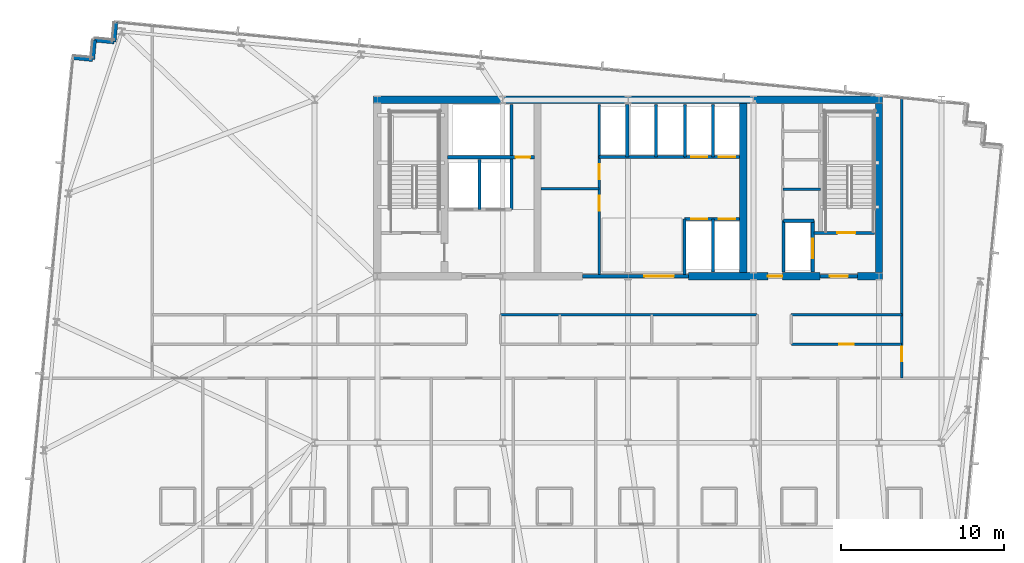
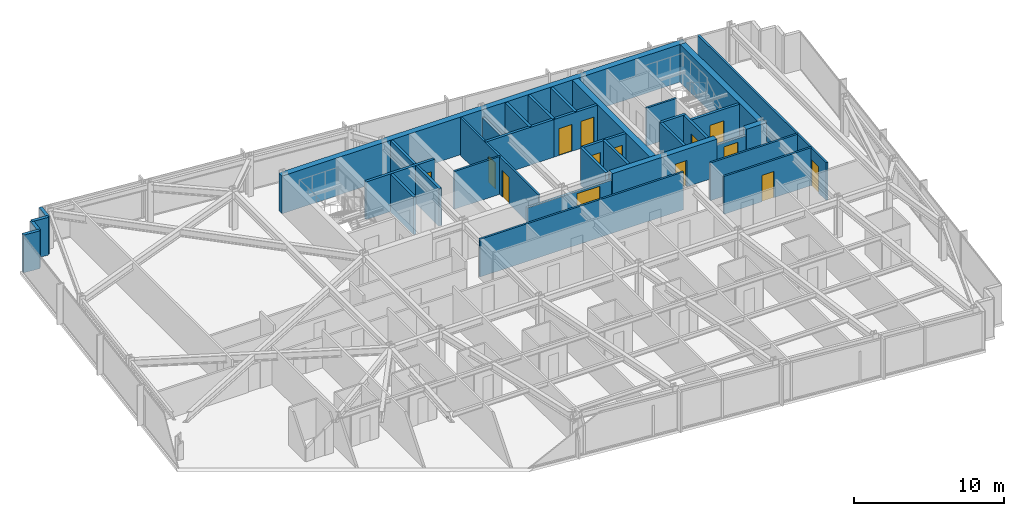
# One storey, part 31 of 38: 34 walls, 14 doors, 14 openings.
"""IFC4 building model written with IfcOpenShell, lengths in metres."""

import ifcopenshell
import ifcopenshell.guid

model = None  # the IFC model being written
_history = None  # IfcOwnerHistory: only IFC2X3 demands one
_inside = {}  # id of a spatial element -> (the spatial element, [elements in it])
_under = {}  # id of a project, library or spatial element -> (it, [spatial elements below it])
_declared = {}  # id of a project -> (the project, [libraries it declares])
_typed = {}  # id of a type object -> (the type object, [elements of that type])
_made_of = {}  # id of a material, layer set ... -> (it, [elements and type objects made of it])


def new_model(schema):
    """Start an empty IFC model of exactly this schema.

    Asked for "IFC4X3", IfcOpenShell would pick the latest addendum, in which some entities
    have other attributes; the version numbers below select the first issue.
    IFC2X3 requires an IfcOwnerHistory on every rooted entity: one is made here for all.
    """
    global model, _history
    if schema == "IFC4X3":
        model = ifcopenshell.file(schema_version=(4, 3, 0, 0))
    else:
        model = ifcopenshell.file(schema=schema)
    _inside.clear()
    _under.clear()
    _declared.clear()
    _typed.clear()
    _made_of.clear()
    _history = None
    if model.schema == "IFC2X3":
        org = make("IfcOrganization", Name="unknown")
        user = make(
            "IfcPersonAndOrganization",
            ThePerson=make("IfcPerson", FamilyName="unknown"),
            TheOrganization=org,
        )
        app = make(
            "IfcApplication",
            ApplicationDeveloper=org,
            Version="unknown",
            ApplicationFullName="unknown",
            ApplicationIdentifier="unknown",
        )
        _history = make(
            "IfcOwnerHistory",
            OwningUser=user,
            OwningApplication=app,
            ChangeAction="ADDED",
            CreationDate=0,
        )
    return model


def make(cls, **values):
    """One entity of the class cls with the attributes given. An attribute that is None is left unset."""
    return model.create_entity(
        cls, **{name: value for name, value in values.items() if value is not None}
    )


def rooted(cls, **values):
    """An entity with a GlobalId (a new one), such as an element, a storey or a relation."""
    return make(cls, GlobalId=ifcopenshell.guid.new(), OwnerHistory=_history, **values)


def si_unit(unit_type, name, prefix=None):
    """IfcSIUnit, for example si_unit("LENGTHUNIT", "METRE", prefix="MILLI")."""
    return make("IfcSIUnit", UnitType=unit_type, Prefix=prefix, Name=name)


def assignment(units):
    """IfcUnitAssignment: the units of a project."""
    return None if units is None else make("IfcUnitAssignment", Units=units)


def point(xyz):
    """IfcCartesianPoint."""
    return None if xyz is None else make("IfcCartesianPoint", Coordinates=xyz)


def direction(xyz):
    """IfcDirection."""
    return None if xyz is None else make("IfcDirection", DirectionRatios=xyz)


def frame(location, z_axis=None, x_axis=None):
    """IfcAxis2Placement3D, a coordinate frame: its origin and axes. An axis left out is left unset."""
    return make(
        "IfcAxis2Placement3D",
        Location=point(location),
        Axis=direction(z_axis),
        RefDirection=direction(x_axis),
    )


def frame_2d(location, x_axis=None):
    """IfcAxis2Placement2D, a coordinate frame in the plane: its origin and x axis."""
    return make(
        "IfcAxis2Placement2D", Location=point(location), RefDirection=direction(x_axis)
    )


def origin():
    """The frame at (0, 0, 0) with its axes left unset."""
    return frame((0.0, 0.0, 0.0))


def place(relative_to, where):
    """IfcLocalPlacement: puts the frame where relative to a parent placement (None: the world)."""
    return make(
        "IfcLocalPlacement", PlacementRelTo=relative_to, RelativePlacement=where
    )


def context(
    kind, dimensions, precision=None, world=None, true_north=None, identifier=None
):
    """IfcGeometricRepresentationContext, for example the 3D "Model" context."""
    return make(
        "IfcGeometricRepresentationContext",
        ContextIdentifier=identifier,
        ContextType=kind,
        CoordinateSpaceDimension=dimensions,
        Precision=precision,
        WorldCoordinateSystem=world,
        TrueNorth=true_north,
    )


def subcontext(parent, identifier, kind, view, scale=None):
    """IfcGeometricRepresentationSubContext, for example "Body" below "Model"."""
    return make(
        "IfcGeometricRepresentationSubContext",
        ContextIdentifier=identifier,
        ContextType=kind,
        ParentContext=parent,
        TargetScale=scale,
        TargetView=view,
    )


def project(units=None, contexts=None):
    """IfcProject with its units and contexts."""
    return rooted(
        "IfcProject",
        Name="project",
        RepresentationContexts=contexts,
        UnitsInContext=assignment(units),
    )


def spatial(cls, under=None, at=None, **own):
    """A site, building, storey or space (cls), placed at a placement, below another one or the project."""
    s = rooted(cls, ObjectPlacement=at, **own)
    if under is not None:
        _under.setdefault(under.id(), (under, []))[1].append(s)
    return s


def profile(cls, at=None, kind="AREA", **sizes):
    """A parametric profile (cls). Its sizes go by their IFC names, for example OverallWidth=200.0."""
    return make(cls, ProfileType=kind, Position=at, **sizes)


def rectangle(**sizes):
    """IfcRectangleProfileDef."""
    return profile("IfcRectangleProfileDef", **sizes)


def extrude(swept, where, along, depth):
    """IfcExtrudedAreaSolid: the profile swept, set in the frame where, extruded along a direction by depth."""
    return make(
        "IfcExtrudedAreaSolid",
        SweptArea=swept,
        Position=where,
        ExtrudedDirection=direction(along),
        Depth=depth,
    )


def shape(context_of_items, identifier, shape_type, items):
    """IfcShapeRepresentation: the items that make up one representation, for example the "Body"."""
    return make(
        "IfcShapeRepresentation",
        ContextOfItems=context_of_items,
        RepresentationIdentifier=identifier,
        RepresentationType=shape_type,
        Items=items,
    )


def material(Name=None, Category=None):
    """IfcMaterial."""
    return make("IfcMaterial", Name=Name, Category=Category)


def layer(
    of_material, thickness, ventilated=None, Name=None, Category=None, Priority=None
):
    """IfcMaterialLayer: one layer of a wall or slab, of a material (None: an air gap)."""
    return make(
        "IfcMaterialLayer",
        Material=of_material,
        LayerThickness=thickness,
        IsVentilated=ventilated,
        Name=Name,
        Category=Category,
        Priority=Priority,
    )


def layer_set(layers, Name=None):
    """IfcMaterialLayerSet."""
    return make("IfcMaterialLayerSet", MaterialLayers=layers, LayerSetName=Name)


def made_of(thing, what):
    """Note that an element or type object is made of a material, layer set ...; save() writes the relation."""
    if what is not None:
        _made_of.setdefault(what.id(), (what, []))[1].append(thing)
    return thing


def type_object(cls, material=None, **own):
    """A type object (cls), such as IfcWallType, which elements share."""
    return made_of(rooted(cls, **own), material)


def element(
    cls,
    number,
    at=None,
    inside=None,
    cuts=None,
    type_object=None,
    material=None,
    context=None,
    identifier="Body",
    shape_type=None,
    held_by="IfcProductDefinitionShape",
    body=None,
    shapes=None,
    **own,
):
    """One element of the class cls, such as IfcWall. Its Tag is "e" and its number.

    at: its placement. inside: the storey or other place that contains it. cuts: it is an
    opening in that element (IfcRelVoidsElement). A single representation is given by context,
    identifier, shape_type and body (its items); several are given by shapes. held_by: the class
    of the entity that holds the representations. save() writes the other relations.
    """
    e = rooted(cls, Tag="e%d" % number, ObjectPlacement=at, **own)
    if body is not None:
        shapes = [shape(context, identifier, shape_type, body)]
    if shapes is not None:
        e.Representation = make(held_by, Representations=shapes)
    if inside is not None:
        _inside.setdefault(inside.id(), (inside, []))[1].append(e)
    if cuts is not None:
        rooted(
            "IfcRelVoidsElement", RelatingBuildingElement=cuts, RelatedOpeningElement=e
        )
    if type_object is not None:
        _typed.setdefault(type_object.id(), (type_object, []))[1].append(e)
    return made_of(e, material)


def fill(opening, filler):
    """IfcRelFillsElement: the door or window that sits in an opening."""
    return rooted(
        "IfcRelFillsElement",
        RelatingOpeningElement=opening,
        RelatedBuildingElement=filler,
    )


def aggregate(whole, parts):
    """IfcRelAggregates: a whole, such as a stair, and the parts it consists of."""
    return rooted("IfcRelAggregates", RelatingObject=whole, RelatedObjects=parts)


def save(model, path):
    """Write the relations noted so far, then the file.

    IfcRelAggregates (storeys below a building ...), IfcRelContainedInSpatialStructure (elements
    in a storey), IfcRelDefinesByType, IfcRelAssociatesMaterial and IfcRelDeclares: one each for
    every whole, place, type object, material and project.
    """
    for whole, parts in _under.values():
        aggregate(whole, parts)
    for where, things in _inside.values():
        rooted(
            "IfcRelContainedInSpatialStructure",
            RelatedElements=things,
            RelatingStructure=where,
        )
    for kind, things in _typed.values():
        rooted("IfcRelDefinesByType", RelatedObjects=things, RelatingType=kind)
    for what, things in _made_of.values():
        rooted("IfcRelAssociatesMaterial", RelatedObjects=things, RelatingMaterial=what)
    for by, libraries in _declared.values():
        rooted("IfcRelDeclares", RelatingContext=by, RelatedDefinitions=libraries)
    model.write(path)


model = new_model("IFC4")

# Units and contexts
model_context = context("Model", 3, precision=1e-05, world=origin(), true_north=direction((0.0, 1.0)))
body_context = subcontext(model_context, "Body", "Model", "MODEL_VIEW")
ifc_project = project(units=[si_unit("LENGTHUNIT", "METRE"), si_unit("AREAUNIT", "SQUARE_METRE"), si_unit("VOLUMEUNIT", "CUBIC_METRE"), si_unit("PLANEANGLEUNIT", "RADIAN"), si_unit("MASSUNIT", "GRAM", prefix="KILO")], contexts=[model_context])

# Site, building, storey
site_placement = place(None, origin())
site = spatial("IfcSite", under=ifc_project, at=site_placement, CompositionType="ELEMENT")
building_placement = place(site_placement, origin())
building = spatial("IfcBuilding", under=site, at=building_placement, Name="Yelkora Congress Tower", CompositionType="ELEMENT")
storey_placement = place(building_placement, frame((0.0, 0.0, 178.699951171875)))
storey = spatial("IfcBuildingStorey", under=building, at=storey_placement, Name="L49", CompositionType="ELEMENT", Elevation=178.699951171875)

# Wall
ifc_material_1 = material(Name="Concrete C60/75", Category="concrete")
ifc_layer_1 = layer(ifc_material_1, 0.449951171875)
ifc_layer_set_1 = layer_set([ifc_layer_1], Name="Concrete C60/75")
wall_type_1 = type_object("IfcWallType", Name="WALL-CORE-INT-450", PredefinedType="SHEAR", material=ifc_layer_set_1)
wall_1_placement = place(storey_placement, frame((22.81494140625, 46.199951171875, 0.0), z_axis=(0.0, 0.0, 1.0), x_axis=(1.0, 0.0, 0.0)))
element("IfcWall", 1, at=wall_1_placement, inside=storey, type_object=wall_type_1, Name="L49 Rear Core North Shear Wall", PredefinedType="SHEAR", context=body_context, shape_type="SweptSolid", body=[
    extrude(rectangle(XDim=31.170166015625, YDim=0.449951171875, at=frame_2d((15.5849609375, 0.0))), origin(), (0.0, 0.0, 1.0), 3.080078125),
])

# Wall, opening, door
wall_2_placement = place(storey_placement, frame((42.10009765625, 35.39990234375, 0.0), z_axis=(0.0, 0.0, 1.0), x_axis=(1.0, 0.0, 0.0)))
wall_2 = element("IfcWall", 2, at=wall_2_placement, inside=storey, type_object=wall_type_1, Name="L49 Rear Core South-East Shear Wall A", PredefinedType="SHEAR", context=body_context, shape_type="SweptSolid", body=[
    extrude(rectangle(XDim=8.0498046875, YDim=0.449951171875, at=frame_2d((4.02490234375, 0.0))), origin(), (0.0, 0.0, 1.0), 3.080078125),
])
opening_1_placement = place(wall_2_placement, frame((4.85009765625, 0.0, 0.0)))
opening_1 = element("IfcOpeningElement", 3, at=opening_1_placement, cuts=wall_2, Name="Opening DR-090F6", PredefinedType="OPENING", context=body_context, shape_type="SweptSolid", body=[
    extrude(rectangle(XDim=0.89990234375, YDim=2.14990234375, at=frame_2d((0.449951171875, 1.074951171875))), frame((0.0, 0.23486328125, 0.0), z_axis=(0.0, -1.0, 0.0), x_axis=(1.0, 0.0, 0.0)), (0.0, 0.0, 1.0), 0.469970703125),
])
ifc_material_2 = material(Name="Painted steel riser fire door leaf", Category="steel")
door_type_1 = type_object("IfcDoorType", Name="DOOR-FD60-900", OperationType="NOTDEFINED", PredefinedType="DOOR", material=ifc_material_2)
door_1_placement = place(opening_1_placement, origin())
door_1 = element("IfcDoor", 4, at=door_1_placement, inside=storey, type_object=door_type_1, Name="L49 Core Washroom Lobby Door", OperationType="SINGLE_SWING_RIGHT", OverallHeight=2.14990234375, OverallWidth=0.89990234375, PredefinedType="DOOR", context=body_context, shape_type="SweptSolid", body=[
    extrude(rectangle(XDim=0.89990234375, YDim=2.14990234375, at=frame_2d((0.449951171875, 1.074951171875))), frame((0.0, 0.02490234375, 0.0), z_axis=(0.0, -1.0, 0.0), x_axis=(1.0, 0.0, 0.0)), (0.0, 0.0, 1.0), 0.050048828125),
])
fill(opening_1, door_1)

# Walls
wall_3_placement = place(storey_placement, frame((52.449951171875, 35.39990234375, 0.0), z_axis=(0.0, 0.0, 1.0), x_axis=(1.0, 0.0, 0.0)))
element("IfcWall", 5, at=wall_3_placement, inside=storey, type_object=wall_type_1, Name="L49 Rear Core South-East Shear Wall B", PredefinedType="SHEAR", context=body_context, shape_type="SweptSolid", body=[
    extrude(rectangle(XDim=1.53515625, YDim=0.449951171875, at=frame_2d((0.767578125, 0.0))), origin(), (0.0, 0.0, 1.0), 3.080078125),
])
for number, where, z_axis, x_axis, name in (
    (6, (45.449951171875, 35.625, 0.0), (0.0, 0.0, 1.0), (0.0, 1.0, 0.0), "L49 Rear Core Cross Shear Wall C3"),
    (7, (53.760009765625, 35.625, 0.0), (0.0, 0.0, 1.0), (0.0, 1.0, 0.0), "L49 Rear Core Cross Shear Wall E"),
):
    element("IfcWall", number, at=place(storey_placement, frame(where, z_axis=z_axis, x_axis=x_axis)), inside=storey, type_object=wall_type_1, Name=name, PredefinedType="SHEAR", context=body_context, shape_type="SweptSolid", body=[
        extrude(rectangle(XDim=10.35009765625, YDim=0.449951171875, at=frame_2d((5.175048828125, 0.0))), origin(), (0.0, 0.0, 1.0), 3.080078125),
    ])
ifc_material_3 = material(Name="Concrete C40/50", Category="concrete")
ifc_layer_2 = layer(ifc_material_3, 0.239990234375)
ifc_layer_set_2 = layer_set([ifc_layer_2], Name="Concrete C40/50")
wall_type_2 = type_object("IfcWallType", Name="WALL-EXT-LIMESTONE-240", PredefinedType="SOLIDWALL", material=ifc_layer_set_2)
wall_4_placement = place(storey_placement, frame((4.41064453125, 48.778564453125, 0.0), z_axis=(0.0, 0.0, 1.0), x_axis=(0.995397091755, -0.095836473879, 0.0)))
element("IfcWall", 8, at=wall_4_placement, inside=storey, type_object=wall_type_2, Name="L49 Serrated Corner Limestone Pier 6", PredefinedType="SOLIDWALL", context=body_context, shape_type="SweptSolid", body=[
    extrude(rectangle(XDim=1.199951171875, YDim=0.239990234375, at=frame_2d((0.60009765625, 0.0))), origin(), (0.0, 0.0, 1.0), 3.080078125),
])
wall_5_placement = place(storey_placement, frame((5.60498046875, 48.66357421875, 0.0), z_axis=(0.0, 0.0, 1.0), x_axis=(0.096018626938, 0.995379537303, 0.0)))
element("IfcWall", 9, at=wall_5_placement, inside=storey, type_object=wall_type_2, Name="L49 Serrated Corner Limestone Pier 7", PredefinedType="SOLIDWALL", context=body_context, shape_type="SweptSolid", body=[
    extrude(rectangle(XDim=1.2001953125, YDim=0.239990234375, at=frame_2d((0.60009765625, 0.0))), origin(), (0.0, 0.0, 1.0), 3.080078125),
])
for number, where, z_axis, x_axis, name in (
    (10, (5.72021484375, 49.858154296875, 0.0), (0.0, 0.0, 1.0), (0.995397091755, -0.095836473879, 0.0), "L49 Serrated Corner Limestone Pier 8"),
    (11, (6.91455078125, 49.7431640625, 0.0), (0.0, 0.0, 1.0), (0.095836473879, 0.995397091755, 0.0), "L49 Serrated Corner Limestone Pier 9"),
):
    element("IfcWall", number, at=place(storey_placement, frame(where, z_axis=z_axis, x_axis=x_axis)), inside=storey, type_object=wall_type_2, Name=name, PredefinedType="SOLIDWALL", context=body_context, shape_type="SweptSolid", body=[
        extrude(rectangle(XDim=1.199951171875, YDim=0.239990234375, at=frame_2d((0.60009765625, 0.0))), origin(), (0.0, 0.0, 1.0), 3.080078125),
    ])
ifc_material_4 = material(Name="Acoustic metal-stud gypsum partition", Category="gypsum")
ifc_layer_3 = layer(ifc_material_4, 0.14990234375)
ifc_layer_set_3 = layer_set([ifc_layer_3], Name="Acoustic metal-stud gypsum partition")
wall_type_3 = type_object("IfcWallType", Name="WALL-INT-150-NR", PredefinedType="PARTITIONING", material=ifc_layer_set_3)
wall_6_placement = place(storey_placement, frame((47.8798828125, 40.719970703125, 0.0), z_axis=(0.0, 0.0, 1.0), x_axis=(1.0, 0.0, 0.0)))
element("IfcWall", 12, at=wall_6_placement, inside=storey, type_object=wall_type_3, Name="L49 Partition Wall 24", PredefinedType="PARTITIONING", context=body_context, shape_type="SweptSolid", body=[
    extrude(rectangle(XDim=2.300048828125, YDim=0.14990234375, at=frame_2d((1.14990234375, 0.0))), origin(), (0.0, 0.0, 1.0), 3.080078125),
])

# Wall, opening, door
wall_7_placement = place(storey_placement, frame((55.1650390625, 29.14990234375, 0.0), z_axis=(0.0, 0.0, 1.0), x_axis=(0.0, 1.0, 0.0)))
wall_7 = element("IfcWall", 13, at=wall_7_placement, inside=storey, type_object=wall_type_3, Name="L49 Partition Wall 79", PredefinedType="PARTITIONING", context=body_context, shape_type="SweptSolid", body=[
    extrude(rectangle(XDim=17.213134765625, YDim=0.14990234375, at=frame_2d((8.6064453125, 0.0))), origin(), (0.0, 0.0, 1.0), 3.080078125),
])
opening_2_placement = place(wall_7_placement, frame((1.030029296875, 0.0, 0.0)))
opening_2 = element("IfcOpeningElement", 14, at=opening_2_placement, cuts=wall_7, Name="Opening DR-090N", PredefinedType="OPENING", context=body_context, shape_type="SweptSolid", body=[
    extrude(rectangle(XDim=0.89990234375, YDim=2.14990234375, at=frame_2d((0.449951171875, 1.074951171875))), frame((0.0, 0.0849609375, 0.0), z_axis=(0.0, -1.0, 0.0), x_axis=(1.0, 0.0, 0.0)), (0.0, 0.0, 1.0), 0.169921875),
])
ifc_material_5 = material(Name="Moisture-resistant laminate door leaf", Category="wood")
door_type_2 = type_object("IfcDoorType", Name="DOOR-INT-900", OperationType="NOTDEFINED", PredefinedType="DOOR", material=ifc_material_5)
door_2_placement = place(opening_2_placement, origin())
door_2 = element("IfcDoor", 15, at=door_2_placement, inside=storey, type_object=door_type_2, Name="L49 E Wing Door", OperationType="SINGLE_SWING_LEFT", OverallHeight=2.14990234375, OverallWidth=0.89990234375, PredefinedType="DOOR", context=body_context, shape_type="SweptSolid", body=[
    extrude(rectangle(XDim=0.89990234375, YDim=2.14990234375, at=frame_2d((0.449951171875, 1.074951171875))), frame((0.0, 0.02490234375, 0.0), z_axis=(0.0, -1.0, 0.0), x_axis=(1.0, 0.0, 0.0)), (0.0, 0.0, 1.0), 0.050048828125),
])
fill(opening_2, door_2)

# Walls
wall_8_placement = place(storey_placement, frame((30.580078125, 33.050048828125, 0.0), z_axis=(0.0, 0.0, 1.0), x_axis=(1.0, 0.0, 0.0)))
element("IfcWall", 16, at=wall_8_placement, inside=storey, type_object=wall_type_3, Name="L49 Partition Wall 85", PredefinedType="PARTITIONING", context=body_context, shape_type="SweptSolid", body=[
    extrude(rectangle(XDim=15.719970703125, YDim=0.14990234375, at=frame_2d((7.85986328125, 0.0))), origin(), (0.0, 0.0, 1.0), 3.080078125),
])
wall_9_placement = place(storey_placement, frame((48.3798828125, 33.050048828125, 0.0), z_axis=(0.0, 0.0, 1.0), x_axis=(1.0, 0.0, 0.0)))
element("IfcWall", 17, at=wall_9_placement, inside=storey, type_object=wall_type_3, Name="L49 Partition Wall 86", PredefinedType="PARTITIONING", context=body_context, shape_type="SweptSolid", body=[
    extrude(rectangle(XDim=6.78515625, YDim=0.14990234375, at=frame_2d((3.392578125, 0.0))), origin(), (0.0, 0.0, 1.0), 3.080078125),
])

# Wall, opening, door
wall_10_placement = place(storey_placement, frame((48.389892578125, 31.22998046875, 0.0), z_axis=(0.0, 0.0, 1.0), x_axis=(1.0, 0.0, 0.0)))
wall_10 = element("IfcWall", 18, at=wall_10_placement, inside=storey, type_object=wall_type_3, Name="L49 Partition Wall 93", PredefinedType="PARTITIONING", context=body_context, shape_type="SweptSolid", body=[
    extrude(rectangle(XDim=6.755126953125, YDim=0.14990234375, at=frame_2d((3.37744140625, 0.0))), origin(), (0.0, 0.0, 1.0), 3.080078125),
])
opening_3_placement = place(wall_10_placement, frame((2.927490234375, 0.0, 0.0)))
opening_3 = element("IfcOpeningElement", 19, at=opening_3_placement, cuts=wall_10, Name="Opening DR-090N", PredefinedType="OPENING", context=body_context, shape_type="SweptSolid", body=[
    extrude(rectangle(XDim=0.89990234375, YDim=2.14990234375, at=frame_2d((0.449951171875, 1.074951171875))), frame((0.0, 0.0849609375, 0.0), z_axis=(0.0, -1.0, 0.0), x_axis=(1.0, 0.0, 0.0)), (0.0, 0.0, 1.0), 0.169921875),
])
door_3_placement = place(opening_3_placement, origin())
door_3 = element("IfcDoor", 20, at=door_3_placement, inside=storey, type_object=door_type_2, Name="L49 Staff Operations Room Door", OperationType="SINGLE_SWING_RIGHT", OverallHeight=2.14990234375, OverallWidth=0.89990234375, PredefinedType="DOOR", context=body_context, shape_type="SweptSolid", body=[
    extrude(rectangle(XDim=0.89990234375, YDim=2.14990234375, at=frame_2d((0.449951171875, 1.074951171875))), frame((0.0, 0.02490234375, 0.0), z_axis=(0.0, -1.0, 0.0), x_axis=(1.0, 0.0, 0.0)), (0.0, 0.0, 1.0), 0.050048828125),
])
fill(opening_3, door_3)

# Wall
ifc_material_6 = material(Name="Twin-stud fire-rated gypsum partition", Category="gypsum")
ifc_layer_4 = layer(ifc_material_6, 0.14990234375)
ifc_layer_set_4 = layer_set([ifc_layer_4], Name="Twin-stud fire-rated gypsum partition")
wall_type_4 = type_object("IfcWallType", Name="WALL-INT-150-R60", PredefinedType="PARTITIONING", material=ifc_layer_set_4)
wall_11_placement = place(storey_placement, frame((33.050048828125, 40.75, 0.0), z_axis=(0.0, 0.0, 1.0), x_axis=(1.0, 0.0, 0.0)))
element("IfcWall", 21, at=wall_11_placement, inside=storey, type_object=wall_type_4, Name="L49 Partition Wall 11", PredefinedType="PARTITIONING", context=body_context, shape_type="SweptSolid", body=[
    extrude(rectangle(XDim=3.570068359375, YDim=0.14990234375, at=frame_2d((1.78515625, 0.0))), origin(), (0.0, 0.0, 1.0), 3.080078125),
])

# Wall, openings, doors
wall_12_placement = place(storey_placement, frame((36.6201171875, 35.5, 0.0), z_axis=(0.0, 0.0, 1.0), x_axis=(0.0, 1.0, 0.0)))
wall_12 = element("IfcWall", 22, at=wall_12_placement, inside=storey, type_object=wall_type_4, Name="L49 Partition Wall 12", PredefinedType="PARTITIONING", context=body_context, shape_type="SweptSolid", body=[
    extrude(rectangle(XDim=10.419921875, YDim=0.14990234375, at=frame_2d((5.2099609375, 0.0))), origin(), (0.0, 0.0, 1.0), 3.080078125),
])
opening_4_placement = place(wall_12_placement, frame((3.919921875, 0.0, 0.0)))
opening_4 = element("IfcOpeningElement", 23, at=opening_4_placement, cuts=wall_12, Name="Opening DR-090F6", PredefinedType="OPENING", context=body_context, shape_type="SweptSolid", body=[
    extrude(rectangle(XDim=0.89990234375, YDim=2.14990234375, at=frame_2d((0.449951171875, 1.074951171875))), frame((0.0, 0.0849609375, 0.0), z_axis=(0.0, -1.0, 0.0), x_axis=(1.0, 0.0, 0.0)), (0.0, 0.0, 1.0), 0.169921875),
])
opening_5_placement = place(wall_12_placement, frame((5.85009765625, 0.0, 0.0)))
opening_5 = element("IfcOpeningElement", 24, at=opening_5_placement, cuts=wall_12, Name="Opening DR-090F6", PredefinedType="OPENING", context=body_context, shape_type="SweptSolid", body=[
    extrude(rectangle(XDim=0.89990234375, YDim=2.14990234375, at=frame_2d((0.449951171875, 1.074951171875))), frame((0.0, 0.0849609375, 0.0), z_axis=(0.0, -1.0, 0.0), x_axis=(1.0, 0.0, 0.0)), (0.0, 0.0, 1.0), 0.169921875),
])
door_4_placement = place(opening_4_placement, origin())
door_4 = element("IfcDoor", 25, at=door_4_placement, inside=storey, type_object=door_type_1, Name="L49 Telecom Store Door", OperationType="SINGLE_SWING_LEFT", OverallHeight=2.14990234375, OverallWidth=0.89990234375, PredefinedType="DOOR", context=body_context, shape_type="SweptSolid", body=[
    extrude(rectangle(XDim=0.89990234375, YDim=2.14990234375, at=frame_2d((0.449951171875, 1.074951171875))), frame((0.0, 0.02490234375, 0.0), z_axis=(0.0, -1.0, 0.0), x_axis=(1.0, 0.0, 0.0)), (0.0, 0.0, 1.0), 0.050048828125),
])
fill(opening_4, door_4)
door_5_placement = place(opening_5_placement, origin())
door_5 = element("IfcDoor", 26, at=door_5_placement, inside=storey, type_object=door_type_1, Name="L49 Archive Store Door", OperationType="SINGLE_SWING_RIGHT", OverallHeight=2.14990234375, OverallWidth=0.89990234375, PredefinedType="DOOR", context=body_context, shape_type="SweptSolid", body=[
    extrude(rectangle(XDim=0.89990234375, YDim=2.14990234375, at=frame_2d((0.449951171875, 1.074951171875))), frame((0.0, 0.02490234375, 0.0), z_axis=(0.0, -1.0, 0.0), x_axis=(1.0, 0.0, 0.0)), (0.0, 0.0, 1.0), 0.050048828125),
])
fill(opening_5, door_5)

# Walls
ifc_material_7 = material(Name="Autoclaved aerated concrete blockwork", Category="masonry")
ifc_layer_5 = layer(ifc_material_7, 0.199951171875)
ifc_layer_set_5 = layer_set([ifc_layer_5], Name="Autoclaved aerated concrete blockwork")
wall_type_5 = type_object("IfcWallType", Name="WALL-INT-200-R120", PredefinedType="PARTITIONING", material=ifc_layer_set_5)
wall_13_placement = place(storey_placement, frame((29.300048828125, 39.47998046875, 0.0), z_axis=(0.0, 0.0, 1.0), x_axis=(0.0, 1.0, 0.0)))
element("IfcWall", 27, at=wall_13_placement, inside=storey, type_object=wall_type_5, Name="L49 Partition Wall 4", PredefinedType="PARTITIONING", context=body_context, shape_type="SweptSolid", body=[
    extrude(rectangle(XDim=3.070068359375, YDim=0.199951171875, at=frame_2d((1.53515625, 0.0))), origin(), (0.0, 0.0, 1.0), 3.080078125),
])
wall_14_placement = place(storey_placement, frame((31.260009765625, 39.47998046875, 0.0), z_axis=(0.0, 0.0, 1.0), x_axis=(0.0, 1.0, 0.0)))
element("IfcWall", 28, at=wall_14_placement, inside=storey, type_object=wall_type_5, Name="L49 Partition Wall 5", PredefinedType="PARTITIONING", context=body_context, shape_type="SweptSolid", body=[
    extrude(rectangle(XDim=6.43994140625, YDim=0.199951171875, at=frame_2d((3.219970703125, 0.0))), origin(), (0.0, 0.0, 1.0), 3.080078125),
])

# Wall, opening, door
wall_15_placement = place(storey_placement, frame((27.320068359375, 42.679931640625, 0.0), z_axis=(0.0, 0.0, 1.0), x_axis=(1.0, 0.0, 0.0)))
wall_15 = element("IfcWall", 29, at=wall_15_placement, inside=storey, type_object=wall_type_5, Name="L49 Smoke Riser South Wall", PredefinedType="PARTITIONING", context=body_context, shape_type="SweptSolid", body=[
    extrude(rectangle(XDim=5.329833984375, YDim=0.199951171875, at=frame_2d((2.6650390625, 0.0))), origin(), (0.0, 0.0, 1.0), 3.080078125),
])
opening_6_placement = place(wall_15_placement, frame((4.179931640625, 0.0, 0.0)))
opening_6 = element("IfcOpeningElement", 30, at=opening_6_placement, cuts=wall_15, Name="Opening DR-090F6", PredefinedType="OPENING", context=body_context, shape_type="SweptSolid", body=[
    extrude(rectangle(XDim=0.89990234375, YDim=2.14990234375, at=frame_2d((0.449951171875, 1.074951171875))), frame((0.0, 0.10986328125, 0.0), z_axis=(0.0, -1.0, 0.0), x_axis=(1.0, 0.0, 0.0)), (0.0, 0.0, 1.0), 0.219970703125),
])
door_6_placement = place(opening_6_placement, origin())
door_6 = element("IfcDoor", 31, at=door_6_placement, inside=storey, type_object=door_type_1, Name="L49 Riser Access Door", OperationType="SINGLE_SWING_LEFT", OverallHeight=2.14990234375, OverallWidth=0.89990234375, PredefinedType="DOOR", context=body_context, shape_type="SweptSolid", body=[
    extrude(rectangle(XDim=0.89990234375, YDim=2.14990234375, at=frame_2d((0.449951171875, 1.074951171875))), frame((0.0, 0.02490234375, 0.0), z_axis=(0.0, -1.0, 0.0), x_axis=(1.0, 0.0, 0.0)), (0.0, 0.0, 1.0), 0.050048828125),
])
fill(opening_6, door_6)

wall_16_placement = place(storey_placement, frame((35.60009765625, 35.39990234375, 0.0), z_axis=(0.0, 0.0, 1.0), x_axis=(1.0, 0.0, 0.0)))
wall_16 = element("IfcWall", 32, at=wall_16_placement, inside=storey, type_object=wall_type_5, Name="L49 Main Lift Lobby South Portal Wall", PredefinedType="PARTITIONING", context=body_context, shape_type="SweptSolid", body=[
    extrude(rectangle(XDim=6.5, YDim=0.199951171875, at=frame_2d((3.25, 0.0))), origin(), (0.0, 0.0, 1.0), 2.47509765625),
])
opening_7_placement = place(wall_16_placement, frame((3.800048828125, 0.0, 0.0)))
opening_7 = element("IfcOpeningElement", 33, at=opening_7_placement, cuts=wall_16, Name="Opening DR-180D", PredefinedType="OPENING", context=body_context, shape_type="SweptSolid", body=[
    extrude(rectangle(XDim=1.800048828125, YDim=2.300048828125, at=frame_2d((0.89990234375, 1.14990234375))), frame((0.0, 0.10986328125, 0.0), z_axis=(0.0, -1.0, 0.0), x_axis=(1.0, 0.0, 0.0)), (0.0, 0.0, 1.0), 0.219970703125),
])
ifc_material_8 = material(Name="Acoustic double congress hall doors", Category="wood")
door_type_3 = type_object("IfcDoorType", Name="DOOR-DBL-1800", OperationType="DOUBLE_DOOR_SINGLE_SWING", PredefinedType="DOOR", material=ifc_material_8)
door_7_placement = place(opening_7_placement, origin())
door_7 = element("IfcDoor", 34, at=door_7_placement, inside=storey, type_object=door_type_3, Name="L49 Main Lift Lobby Portal Door", OperationType="DOUBLE_DOOR_SINGLE_SWING", OverallHeight=2.300048828125, OverallWidth=1.800048828125, PredefinedType="DOOR", context=body_context, shape_type="SweptSolid", body=[
    extrude(rectangle(XDim=1.800048828125, YDim=2.300048828125, at=frame_2d((0.89990234375, 1.14990234375))), frame((0.0, 0.02490234375, 0.0), z_axis=(0.0, -1.0, 0.0), x_axis=(1.0, 0.0, 0.0)), (0.0, 0.0, 1.0), 0.050048828125),
])
fill(opening_7, door_7)

# Walls
wall_17_placement = place(storey_placement, frame((36.60009765625, 42.699951171875, 0.0), z_axis=(0.0, 0.0, 1.0), x_axis=(1.0, 0.0, 0.0)))
element("IfcWall", 35, at=wall_17_placement, inside=storey, type_object=wall_type_5, Name="L49 Partition Wall 8", PredefinedType="PARTITIONING", context=body_context, shape_type="SweptSolid", body=[
    extrude(rectangle(XDim=5.25, YDim=0.199951171875, at=frame_2d((2.625, 0.0))), origin(), (0.0, 0.0, 1.0), 3.080078125),
])
wall_18_placement = place(storey_placement, frame((38.35009765625, 42.699951171875, 0.0), z_axis=(0.0, 0.0, 1.0), x_axis=(0.0, 1.0, 0.0)))
element("IfcWall", 36, at=wall_18_placement, inside=storey, type_object=wall_type_5, Name="L49 Partition Wall 9", PredefinedType="PARTITIONING", context=body_context, shape_type="SweptSolid", body=[
    extrude(rectangle(XDim=3.219970703125, YDim=0.199951171875, at=frame_2d((1.60986328125, 0.0))), origin(), (0.0, 0.0, 1.0), 2.47509765625),
])
wall_19_placement = place(storey_placement, frame((40.10009765625, 42.699951171875, 0.0), z_axis=(0.0, 0.0, 1.0), x_axis=(0.0, 1.0, 0.0)))
element("IfcWall", 37, at=wall_19_placement, inside=storey, type_object=wall_type_5, Name="L49 Partition Wall 10", PredefinedType="PARTITIONING", context=body_context, shape_type="SweptSolid", body=[
    extrude(rectangle(XDim=3.219970703125, YDim=0.199951171875, at=frame_2d((1.60986328125, 0.0))), origin(), (0.0, 0.0, 1.0), 3.080078125),
])

# Wall, openings, doors
wall_20_placement = place(storey_placement, frame((41.85009765625, 38.89990234375, 0.0), z_axis=(0.0, 0.0, 1.0), x_axis=(1.0, 0.0, 0.0)))
wall_20 = element("IfcWall", 38, at=wall_20_placement, inside=storey, type_object=wall_type_5, Name="L49 Partition Wall 13", PredefinedType="PARTITIONING", context=body_context, shape_type="SweptSolid", body=[
    extrude(rectangle(XDim=3.369873046875, YDim=0.199951171875, at=frame_2d((1.68505859375, 0.0))), origin(), (0.0, 0.0, 1.0), 3.080078125),
])
opening_8_placement = place(wall_20_placement, frame((0.39990234375, 0.0, 0.0)))
opening_8 = element("IfcOpeningElement", 39, at=opening_8_placement, cuts=wall_20, Name="Opening LD-PS10", PredefinedType="OPENING", context=body_context, shape_type="SweptSolid", body=[
    extrude(rectangle(XDim=1.0, YDim=2.199951171875, at=frame_2d((0.5, 1.10009765625))), frame((0.0, 0.10986328125, 0.0), z_axis=(0.0, -1.0, 0.0), x_axis=(1.0, 0.0, 0.0)), (0.0, 0.0, 1.0), 0.219970703125),
])
opening_9_placement = place(wall_20_placement, frame((2.10009765625, 0.0, 0.0)))
opening_9 = element("IfcOpeningElement", 40, at=opening_9_placement, cuts=wall_20, Name="Opening LD-PS10", PredefinedType="OPENING", context=body_context, shape_type="SweptSolid", body=[
    extrude(rectangle(XDim=1.0, YDim=2.199951171875, at=frame_2d((0.5, 1.10009765625))), frame((0.0, 0.10986328125, 0.0), z_axis=(0.0, -1.0, 0.0), x_axis=(1.0, 0.0, 0.0)), (0.0, 0.0, 1.0), 0.219970703125),
])
ifc_material_9 = material(Name="Champagne stainless steel landing door", Category="steel")
door_type_4 = type_object("IfcDoorType", Name="DOOR-LIFT-PAS-1000", OperationType="DOUBLE_DOOR_SLIDING", PredefinedType="DOOR", material=ifc_material_9)
door_8_placement = place(opening_8_placement, origin())
door_8 = element("IfcDoor", 41, at=door_8_placement, inside=storey, type_object=door_type_4, Name="Lift Landing Door LF-P5 L49", OperationType="DOUBLE_DOOR_SLIDING", OverallHeight=2.199951171875, OverallWidth=1.0, PredefinedType="DOOR", context=body_context, shape_type="SweptSolid", body=[
    extrude(rectangle(XDim=1.0, YDim=2.199951171875, at=frame_2d((0.5, 1.10009765625))), frame((0.0, 0.02490234375, 0.0), z_axis=(0.0, -1.0, 0.0), x_axis=(1.0, 0.0, 0.0)), (0.0, 0.0, 1.0), 0.050048828125),
])
fill(opening_8, door_8)
door_9_placement = place(opening_9_placement, origin())
door_9 = element("IfcDoor", 42, at=door_9_placement, inside=storey, type_object=door_type_4, Name="Lift Landing Door LF-P6 L49", OperationType="DOUBLE_DOOR_SLIDING", OverallHeight=2.199951171875, OverallWidth=1.0, PredefinedType="DOOR", context=body_context, shape_type="SweptSolid", body=[
    extrude(rectangle(XDim=1.0, YDim=2.199951171875, at=frame_2d((0.5, 1.10009765625))), frame((0.0, 0.02490234375, 0.0), z_axis=(0.0, -1.0, 0.0), x_axis=(1.0, 0.0, 0.0)), (0.0, 0.0, 1.0), 0.050048828125),
])
fill(opening_9, door_9)

wall_21_placement = place(storey_placement, frame((41.85009765625, 42.699951171875, 0.0), z_axis=(0.0, 0.0, 1.0), x_axis=(1.0, 0.0, 0.0)))
wall_21 = element("IfcWall", 43, at=wall_21_placement, inside=storey, type_object=wall_type_5, Name="L49 Partition Wall 14", PredefinedType="PARTITIONING", context=body_context, shape_type="SweptSolid", body=[
    extrude(rectangle(XDim=3.369873046875, YDim=0.199951171875, at=frame_2d((1.68505859375, 0.0))), origin(), (0.0, 0.0, 1.0), 3.080078125),
])
opening_10_placement = place(wall_21_placement, frame((0.39990234375, 0.0, 0.0)))
opening_10 = element("IfcOpeningElement", 44, at=opening_10_placement, cuts=wall_21, Name="Opening LD-PS10", PredefinedType="OPENING", context=body_context, shape_type="SweptSolid", body=[
    extrude(rectangle(XDim=1.0, YDim=2.199951171875, at=frame_2d((0.5, 1.10009765625))), frame((0.0, 0.10986328125, 0.0), z_axis=(0.0, -1.0, 0.0), x_axis=(1.0, 0.0, 0.0)), (0.0, 0.0, 1.0), 0.219970703125),
])
opening_11_placement = place(wall_21_placement, frame((2.10009765625, 0.0, 0.0)))
opening_11 = element("IfcOpeningElement", 45, at=opening_11_placement, cuts=wall_21, Name="Opening LD-PS10", PredefinedType="OPENING", context=body_context, shape_type="SweptSolid", body=[
    extrude(rectangle(XDim=1.0, YDim=2.199951171875, at=frame_2d((0.5, 1.10009765625))), frame((0.0, 0.10986328125, 0.0), z_axis=(0.0, -1.0, 0.0), x_axis=(1.0, 0.0, 0.0)), (0.0, 0.0, 1.0), 0.219970703125),
])
door_10_placement = place(opening_10_placement, origin())
door_10 = element("IfcDoor", 46, at=door_10_placement, inside=storey, type_object=door_type_4, Name="Lift Landing Door LF-P7 L49", OperationType="DOUBLE_DOOR_SLIDING", OverallHeight=2.199951171875, OverallWidth=1.0, PredefinedType="DOOR", context=body_context, shape_type="SweptSolid", body=[
    extrude(rectangle(XDim=1.0, YDim=2.199951171875, at=frame_2d((0.5, 1.10009765625))), frame((0.0, 0.02490234375, 0.0), z_axis=(0.0, -1.0, 0.0), x_axis=(1.0, 0.0, 0.0)), (0.0, 0.0, 1.0), 0.050048828125),
])
fill(opening_10, door_10)
door_11_placement = place(opening_11_placement, origin())
door_11 = element("IfcDoor", 47, at=door_11_placement, inside=storey, type_object=door_type_4, Name="Lift Landing Door LF-P8 L49", OperationType="DOUBLE_DOOR_SLIDING", OverallHeight=2.199951171875, OverallWidth=1.0, PredefinedType="DOOR", context=body_context, shape_type="SweptSolid", body=[
    extrude(rectangle(XDim=1.0, YDim=2.199951171875, at=frame_2d((0.5, 1.10009765625))), frame((0.0, 0.02490234375, 0.0), z_axis=(0.0, -1.0, 0.0), x_axis=(1.0, 0.0, 0.0)), (0.0, 0.0, 1.0), 0.050048828125),
])
fill(opening_11, door_11)

# Walls
wall_22_placement = place(storey_placement, frame((43.60009765625, 35.64990234375, 0.0), z_axis=(0.0, 0.0, 1.0), x_axis=(0.0, 1.0, 0.0)))
element("IfcWall", 48, at=wall_22_placement, inside=storey, type_object=wall_type_5, Name="L49 Partition Wall 15", PredefinedType="PARTITIONING", context=body_context, shape_type="SweptSolid", body=[
    extrude(rectangle(XDim=3.25, YDim=0.199951171875, at=frame_2d((1.625, 0.0))), origin(), (0.0, 0.0, 1.0), 3.080078125),
])
wall_23_placement = place(storey_placement, frame((43.60009765625, 42.699951171875, 0.0), z_axis=(0.0, 0.0, 1.0), x_axis=(0.0, 1.0, 0.0)))
element("IfcWall", 49, at=wall_23_placement, inside=storey, type_object=wall_type_5, Name="L49 Partition Wall 16", PredefinedType="PARTITIONING", context=body_context, shape_type="SweptSolid", body=[
    extrude(rectangle(XDim=3.219970703125, YDim=0.199951171875, at=frame_2d((1.60986328125, 0.0))), origin(), (0.0, 0.0, 1.0), 3.080078125),
])
wall_24_placement = place(storey_placement, frame((41.85009765625, 35.5, 0.0), z_axis=(0.0, 0.0, 1.0), x_axis=(0.0, 1.0, 0.0)))
element("IfcWall", 50, at=wall_24_placement, inside=storey, type_object=wall_type_5, Name="L49 Partition Wall 17", PredefinedType="PARTITIONING", context=body_context, shape_type="SweptSolid", body=[
    extrude(rectangle(XDim=3.39990234375, YDim=0.199951171875, at=frame_2d((1.699951171875, 0.0))), origin(), (0.0, 0.0, 1.0), 3.080078125),
])
wall_25_placement = place(storey_placement, frame((41.8798828125, 42.699951171875, 0.0), z_axis=(0.0, 0.0, 1.0), x_axis=(0.0, 1.0, 0.0)))
element("IfcWall", 51, at=wall_25_placement, inside=storey, type_object=wall_type_5, Name="L49 Partition Wall 18", PredefinedType="PARTITIONING", context=body_context, shape_type="SweptSolid", body=[
    extrude(rectangle(XDim=3.219970703125, YDim=0.199951171875, at=frame_2d((1.60986328125, 0.0))), origin(), (0.0, 0.0, 1.0), 3.080078125),
])

# Wall, opening, door
wall_26_placement = place(storey_placement, frame((49.780029296875, 38.050048828125, 0.0), z_axis=(0.0, 0.0, 1.0), x_axis=(1.0, 0.0, 0.0)))
wall_26 = element("IfcWall", 52, at=wall_26_placement, inside=storey, type_object=wall_type_5, Name="L49 Stair ST-02 Enclosure Wall", PredefinedType="PARTITIONING", context=body_context, shape_type="SweptSolid", body=[
    extrude(rectangle(XDim=3.719970703125, YDim=0.199951171875, at=frame_2d((1.85986328125, 0.0))), origin(), (0.0, 0.0, 1.0), 3.080078125),
])
opening_12_placement = place(wall_26_placement, frame((1.436279296875, 0.0, 0.0)))
opening_12 = element("IfcOpeningElement", 53, at=opening_12_placement, cuts=wall_26, Name="Opening DR-110F9", PredefinedType="OPENING", context=body_context, shape_type="SweptSolid", body=[
    extrude(rectangle(XDim=1.10009765625, YDim=2.14990234375, at=frame_2d((0.550048828125, 1.074951171875))), frame((0.0, 0.10986328125, 0.0), z_axis=(0.0, -1.0, 0.0), x_axis=(1.0, 0.0, 0.0)), (0.0, 0.0, 1.0), 0.219970703125),
])
ifc_material_10 = material(Name="Galvanised steel fire door leaf", Category="steel")
door_type_5 = type_object("IfcDoorType", Name="DOOR-FD90-1100", OperationType="NOTDEFINED", PredefinedType="DOOR", material=ifc_material_10)
door_12_placement = place(opening_12_placement, origin())
door_12 = element("IfcDoor", 54, at=door_12_placement, inside=storey, type_object=door_type_5, Name="L49 Stair ST-02 Entry Door", OperationType="SINGLE_SWING_LEFT", OverallHeight=2.14990234375, OverallWidth=1.10009765625, PredefinedType="DOOR", context=body_context, shape_type="SweptSolid", body=[
    extrude(rectangle(XDim=1.10009765625, YDim=2.14990234375, at=frame_2d((0.550048828125, 1.074951171875))), frame((0.0, 0.02490234375, 0.0), z_axis=(0.0, -1.0, 0.0), x_axis=(1.0, 0.0, 0.0)), (0.0, 0.0, 1.0), 0.050048828125),
])
fill(opening_12, door_12)

wall_27_placement = place(storey_placement, frame((50.14990234375, 35.39990234375, 0.0), z_axis=(0.0, 0.0, 1.0), x_axis=(1.0, 0.0, 0.0)))
wall_27 = element("IfcWall", 55, at=wall_27_placement, inside=storey, type_object=wall_type_5, Name="L49 Partition Wall 20", PredefinedType="PARTITIONING", context=body_context, shape_type="SweptSolid", body=[
    extrude(rectangle(XDim=2.300048828125, YDim=0.199951171875, at=frame_2d((1.14990234375, 0.0))), origin(), (0.0, 0.0, 1.0), 2.47509765625),
])
opening_13_placement = place(wall_27_placement, frame((0.60009765625, 0.0, 0.0)))
opening_13 = element("IfcOpeningElement", 56, at=opening_13_placement, cuts=wall_27, Name="Opening DR-110F9", PredefinedType="OPENING", context=body_context, shape_type="SweptSolid", body=[
    extrude(rectangle(XDim=1.10009765625, YDim=2.14990234375, at=frame_2d((0.550048828125, 1.074951171875))), frame((0.0, 0.10986328125, 0.0), z_axis=(0.0, -1.0, 0.0), x_axis=(1.0, 0.0, 0.0)), (0.0, 0.0, 1.0), 0.219970703125),
])
door_13_placement = place(opening_13_placement, origin())
door_13 = element("IfcDoor", 57, at=door_13_placement, inside=storey, type_object=door_type_5, Name="L49 East Stair Lobby Door", OperationType="SINGLE_SWING_RIGHT", OverallHeight=2.14990234375, OverallWidth=1.10009765625, PredefinedType="DOOR", context=body_context, shape_type="SweptSolid", body=[
    extrude(rectangle(XDim=1.10009765625, YDim=2.14990234375, at=frame_2d((0.550048828125, 1.074951171875))), frame((0.0, 0.02490234375, 0.0), z_axis=(0.0, -1.0, 0.0), x_axis=(1.0, 0.0, 0.0)), (0.0, 0.0, 1.0), 0.050048828125),
])
fill(opening_13, door_13)

wall_28_placement = place(storey_placement, frame((49.699951171875, 35.64990234375, 0.0), z_axis=(0.0, 0.0, 1.0), x_axis=(0.0, 1.0, 0.0)))
wall_28 = element("IfcWall", 58, at=wall_28_placement, inside=storey, type_object=wall_type_5, Name="L49 Partition Wall 21", PredefinedType="PARTITIONING", context=body_context, shape_type="SweptSolid", body=[
    extrude(rectangle(XDim=3.150146484375, YDim=0.199951171875, at=frame_2d((1.5751953125, 0.0))), origin(), (0.0, 0.0, 1.0), 3.080078125),
])
opening_14_placement = place(wall_28_placement, frame((0.85009765625, 0.0, 0.0)))
opening_14 = element("IfcOpeningElement", 59, at=opening_14_placement, cuts=wall_28, Name="Opening LD-SV12", PredefinedType="OPENING", context=body_context, shape_type="SweptSolid", body=[
    extrude(rectangle(XDim=1.199951171875, YDim=2.199951171875, at=frame_2d((0.60009765625, 1.10009765625))), frame((0.0, 0.10986328125, 0.0), z_axis=(0.0, -1.0, 0.0), x_axis=(1.0, 0.0, 0.0)), (0.0, 0.0, 1.0), 0.219970703125),
])
ifc_material_11 = material(Name="Heavy-duty stainless steel landing door", Category="steel")
door_type_6 = type_object("IfcDoorType", Name="DOOR-LIFT-SRV-1200", OperationType="DOUBLE_DOOR_SLIDING", PredefinedType="DOOR", material=ifc_material_11)
door_14_placement = place(opening_14_placement, origin())
door_14 = element("IfcDoor", 60, at=door_14_placement, inside=storey, type_object=door_type_6, Name="Service Lift Landing Door LF-SV1 L49", OperationType="DOUBLE_DOOR_SLIDING", OverallHeight=2.199951171875, OverallWidth=1.199951171875, PredefinedType="DOOR", context=body_context, shape_type="SweptSolid", body=[
    extrude(rectangle(XDim=1.199951171875, YDim=2.199951171875, at=frame_2d((0.60009765625, 1.10009765625))), frame((0.0, 0.02490234375, 0.0), z_axis=(0.0, -1.0, 0.0), x_axis=(1.0, 0.0, 0.0)), (0.0, 0.0, 1.0), 0.050048828125),
])
fill(opening_14, door_14)

# Walls
wall_29_placement = place(storey_placement, frame((47.919921875, 35.64990234375, 0.0), z_axis=(0.0, 0.0, 1.0), x_axis=(0.0, 1.0, 0.0)))
element("IfcWall", 61, at=wall_29_placement, inside=storey, type_object=wall_type_5, Name="L49 Partition Wall 22", PredefinedType="PARTITIONING", context=body_context, shape_type="SweptSolid", body=[
    extrude(rectangle(XDim=3.150146484375, YDim=0.199951171875, at=frame_2d((1.5751953125, 0.0))), origin(), (0.0, 0.0, 1.0), 3.080078125),
])
wall_30_placement = place(storey_placement, frame((47.919921875, 38.800048828125, 0.0), z_axis=(0.0, 0.0, 1.0), x_axis=(1.0, 0.0, 0.0)))
element("IfcWall", 62, at=wall_30_placement, inside=storey, type_object=wall_type_5, Name="L49 Partition Wall 23", PredefinedType="PARTITIONING", context=body_context, shape_type="SweptSolid", body=[
    extrude(rectangle(XDim=1.860107421875, YDim=0.199951171875, at=frame_2d((0.93017578125, 0.0))), origin(), (0.0, 0.0, 1.0), 3.080078125),
])

save(model, "model.ifc")
